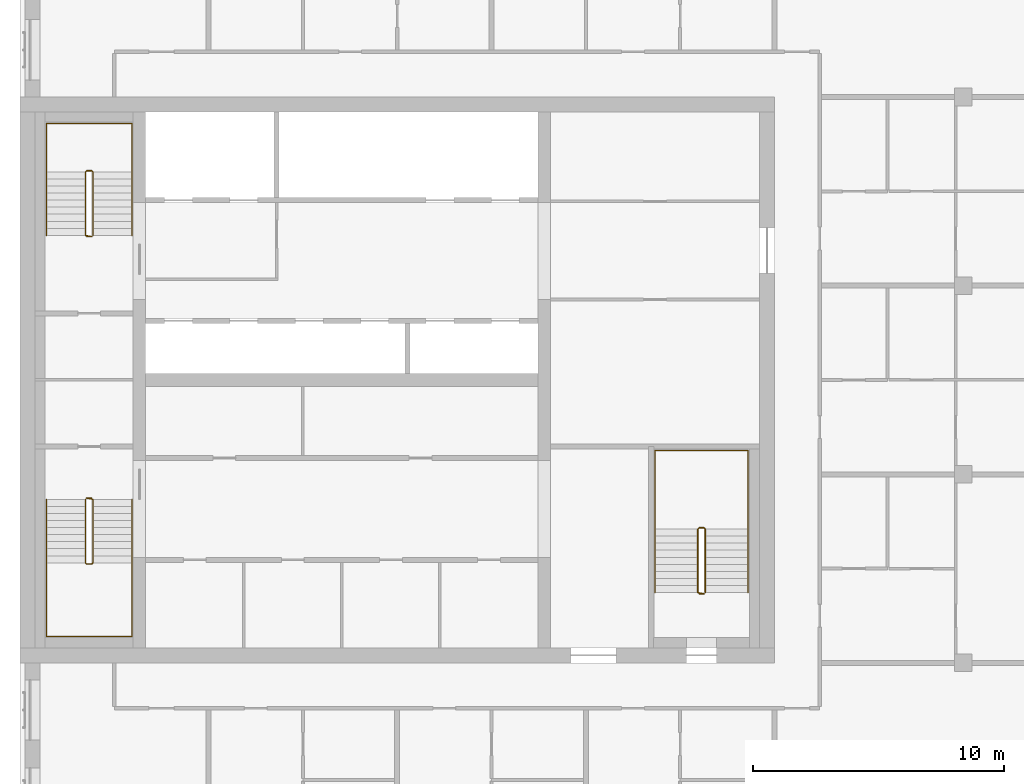
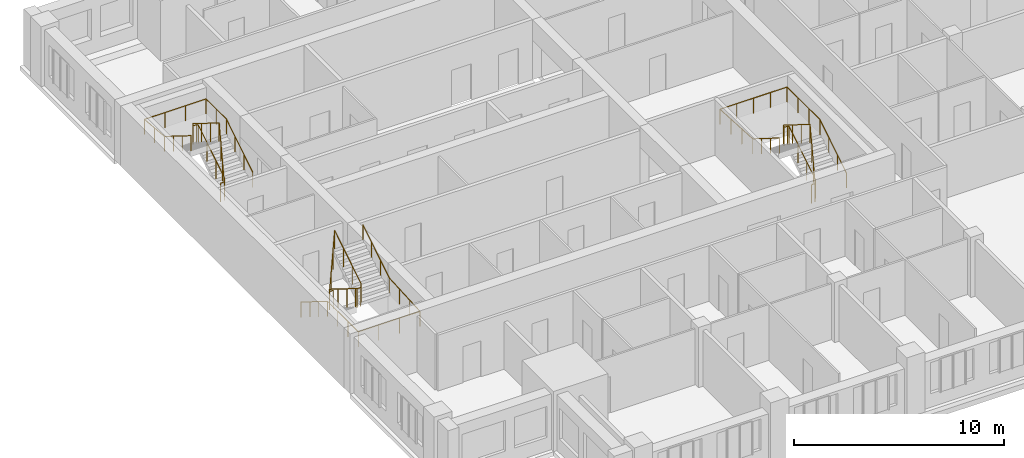
# One storey, part 10 of 10: 6 railings.
"""IFC4 building model written with IfcOpenShell, lengths in metres."""

import ifcopenshell
import ifcopenshell.guid

model = None  # the IFC model being written
_history = None  # IfcOwnerHistory: only IFC2X3 demands one
_inside = {}  # id of a spatial element -> (the spatial element, [elements in it])
_under = {}  # id of a project, library or spatial element -> (it, [spatial elements below it])
_declared = {}  # id of a project -> (the project, [libraries it declares])
_typed = {}  # id of a type object -> (the type object, [elements of that type])
_made_of = {}  # id of a material, layer set ... -> (it, [elements and type objects made of it])


def new_model(schema):
    """Start an empty IFC model of exactly this schema.

    Asked for "IFC4X3", IfcOpenShell would pick the latest addendum, in which some entities
    have other attributes; the version numbers below select the first issue.
    IFC2X3 requires an IfcOwnerHistory on every rooted entity: one is made here for all.
    """
    global model, _history
    if schema == "IFC4X3":
        model = ifcopenshell.file(schema_version=(4, 3, 0, 0))
    else:
        model = ifcopenshell.file(schema=schema)
    _inside.clear()
    _under.clear()
    _declared.clear()
    _typed.clear()
    _made_of.clear()
    _history = None
    if model.schema == "IFC2X3":
        org = make("IfcOrganization", Name="unknown")
        user = make(
            "IfcPersonAndOrganization",
            ThePerson=make("IfcPerson", FamilyName="unknown"),
            TheOrganization=org,
        )
        app = make(
            "IfcApplication",
            ApplicationDeveloper=org,
            Version="unknown",
            ApplicationFullName="unknown",
            ApplicationIdentifier="unknown",
        )
        _history = make(
            "IfcOwnerHistory",
            OwningUser=user,
            OwningApplication=app,
            ChangeAction="ADDED",
            CreationDate=0,
        )
    return model


def make(cls, **values):
    """One entity of the class cls with the attributes given. An attribute that is None is left unset."""
    return model.create_entity(
        cls, **{name: value for name, value in values.items() if value is not None}
    )


def rooted(cls, **values):
    """An entity with a GlobalId (a new one), such as an element, a storey or a relation."""
    return make(cls, GlobalId=ifcopenshell.guid.new(), OwnerHistory=_history, **values)


def si_unit(unit_type, name, prefix=None):
    """IfcSIUnit, for example si_unit("LENGTHUNIT", "METRE", prefix="MILLI")."""
    return make("IfcSIUnit", UnitType=unit_type, Prefix=prefix, Name=name)


def assignment(units):
    """IfcUnitAssignment: the units of a project."""
    return None if units is None else make("IfcUnitAssignment", Units=units)


def point(xyz):
    """IfcCartesianPoint."""
    return None if xyz is None else make("IfcCartesianPoint", Coordinates=xyz)


def direction(xyz):
    """IfcDirection."""
    return None if xyz is None else make("IfcDirection", DirectionRatios=xyz)


def frame(location, z_axis=None, x_axis=None):
    """IfcAxis2Placement3D, a coordinate frame: its origin and axes. An axis left out is left unset."""
    return make(
        "IfcAxis2Placement3D",
        Location=point(location),
        Axis=direction(z_axis),
        RefDirection=direction(x_axis),
    )


def frame_2d(location, x_axis=None):
    """IfcAxis2Placement2D, a coordinate frame in the plane: its origin and x axis."""
    return make(
        "IfcAxis2Placement2D", Location=point(location), RefDirection=direction(x_axis)
    )


def origin():
    """The frame at (0, 0, 0) with its axes left unset."""
    return frame((0.0, 0.0, 0.0))


def origin_2d():
    """The frame at (0, 0) in the plane with its x axis left unset."""
    return frame_2d((0.0, 0.0))


def place(relative_to, where):
    """IfcLocalPlacement: puts the frame where relative to a parent placement (None: the world)."""
    return make(
        "IfcLocalPlacement", PlacementRelTo=relative_to, RelativePlacement=where
    )


def context(
    kind, dimensions, precision=None, world=None, true_north=None, identifier=None
):
    """IfcGeometricRepresentationContext, for example the 3D "Model" context."""
    return make(
        "IfcGeometricRepresentationContext",
        ContextIdentifier=identifier,
        ContextType=kind,
        CoordinateSpaceDimension=dimensions,
        Precision=precision,
        WorldCoordinateSystem=world,
        TrueNorth=true_north,
    )


def subcontext(parent, identifier, kind, view, scale=None):
    """IfcGeometricRepresentationSubContext, for example "Body" below "Model"."""
    return make(
        "IfcGeometricRepresentationSubContext",
        ContextIdentifier=identifier,
        ContextType=kind,
        ParentContext=parent,
        TargetScale=scale,
        TargetView=view,
    )


def project(units=None, contexts=None):
    """IfcProject with its units and contexts."""
    return rooted(
        "IfcProject",
        Name="project",
        RepresentationContexts=contexts,
        UnitsInContext=assignment(units),
    )


def spatial(cls, under=None, at=None, **own):
    """A site, building, storey or space (cls), placed at a placement, below another one or the project."""
    s = rooted(cls, ObjectPlacement=at, **own)
    if under is not None:
        _under.setdefault(under.id(), (under, []))[1].append(s)
    return s


def profile(cls, at=None, kind="AREA", **sizes):
    """A parametric profile (cls). Its sizes go by their IFC names, for example OverallWidth=200.0."""
    return make(cls, ProfileType=kind, Position=at, **sizes)


def circle(**sizes):
    """IfcCircleProfileDef."""
    return profile("IfcCircleProfileDef", **sizes)


def extrude(swept, where, along, depth):
    """IfcExtrudedAreaSolid: the profile swept, set in the frame where, extruded along a direction by depth."""
    return make(
        "IfcExtrudedAreaSolid",
        SweptArea=swept,
        Position=where,
        ExtrudedDirection=direction(along),
        Depth=depth,
    )


def shape(context_of_items, identifier, shape_type, items):
    """IfcShapeRepresentation: the items that make up one representation, for example the "Body"."""
    return make(
        "IfcShapeRepresentation",
        ContextOfItems=context_of_items,
        RepresentationIdentifier=identifier,
        RepresentationType=shape_type,
        Items=items,
    )


def material(Name=None, Category=None):
    """IfcMaterial."""
    return make("IfcMaterial", Name=Name, Category=Category)


def made_of(thing, what):
    """Note that an element or type object is made of a material, layer set ...; save() writes the relation."""
    if what is not None:
        _made_of.setdefault(what.id(), (what, []))[1].append(thing)
    return thing


def type_object(cls, material=None, **own):
    """A type object (cls), such as IfcWallType, which elements share."""
    return made_of(rooted(cls, **own), material)


def element(
    cls,
    number,
    at=None,
    inside=None,
    cuts=None,
    type_object=None,
    material=None,
    context=None,
    identifier="Body",
    shape_type=None,
    held_by="IfcProductDefinitionShape",
    body=None,
    shapes=None,
    **own,
):
    """One element of the class cls, such as IfcWall. Its Tag is "e" and its number.

    at: its placement. inside: the storey or other place that contains it. cuts: it is an
    opening in that element (IfcRelVoidsElement). A single representation is given by context,
    identifier, shape_type and body (its items); several are given by shapes. held_by: the class
    of the entity that holds the representations. save() writes the other relations.
    """
    e = rooted(cls, Tag="e%d" % number, ObjectPlacement=at, **own)
    if body is not None:
        shapes = [shape(context, identifier, shape_type, body)]
    if shapes is not None:
        e.Representation = make(held_by, Representations=shapes)
    if inside is not None:
        _inside.setdefault(inside.id(), (inside, []))[1].append(e)
    if cuts is not None:
        rooted(
            "IfcRelVoidsElement", RelatingBuildingElement=cuts, RelatedOpeningElement=e
        )
    if type_object is not None:
        _typed.setdefault(type_object.id(), (type_object, []))[1].append(e)
    return made_of(e, material)


def aggregate(whole, parts):
    """IfcRelAggregates: a whole, such as a stair, and the parts it consists of."""
    return rooted("IfcRelAggregates", RelatingObject=whole, RelatedObjects=parts)


def save(model, path):
    """Write the relations noted so far, then the file.

    IfcRelAggregates (storeys below a building ...), IfcRelContainedInSpatialStructure (elements
    in a storey), IfcRelDefinesByType, IfcRelAssociatesMaterial and IfcRelDeclares: one each for
    every whole, place, type object, material and project.
    """
    for whole, parts in _under.values():
        aggregate(whole, parts)
    for where, things in _inside.values():
        rooted(
            "IfcRelContainedInSpatialStructure",
            RelatedElements=things,
            RelatingStructure=where,
        )
    for kind, things in _typed.values():
        rooted("IfcRelDefinesByType", RelatedObjects=things, RelatingType=kind)
    for what, things in _made_of.values():
        rooted("IfcRelAssociatesMaterial", RelatedObjects=things, RelatingMaterial=what)
    for by, libraries in _declared.values():
        rooted("IfcRelDeclares", RelatingContext=by, RelatedDefinitions=libraries)
    model.write(path)


model = new_model("IFC4")

# Units and contexts
model_context = context("Model", 3, precision=1e-05, world=origin(), true_north=direction((0.0, 1.0)))
body_context = subcontext(model_context, "Body", "Model", "MODEL_VIEW")
ifc_project = project(units=[si_unit("LENGTHUNIT", "METRE"), si_unit("AREAUNIT", "SQUARE_METRE"), si_unit("VOLUMEUNIT", "CUBIC_METRE"), si_unit("PLANEANGLEUNIT", "RADIAN"), si_unit("MASSUNIT", "GRAM", prefix="KILO")], contexts=[model_context])

# Site, building, storey
site_placement = place(None, origin())
site = spatial("IfcSite", under=ifc_project, at=site_placement, CompositionType="ELEMENT")
building_placement = place(site_placement, origin())
building = spatial("IfcBuilding", under=site, at=building_placement, Name="Tamorin Gate", CompositionType="ELEMENT")
storey_placement = place(building_placement, frame((0.0, 0.0, 276.699951171875)))
storey = spatial("IfcBuildingStorey", under=building, at=storey_placement, Name="L69", CompositionType="ELEMENT", Elevation=276.699951171875)

# Railings
ifc_material_1 = material(Name="Painted steel balustrade", Category="steel")
railing_type_1 = type_object("IfcRailingType", Name="Stair guard 1100", PredefinedType="GUARDRAIL", material=ifc_material_1)
railing_1_placement = place(storey_placement, frame((32.60009765625, 66.5, 0.175048828125)))
element("IfcRailing", 1, at=railing_1_placement, inside=storey, type_object=railing_type_1, Name="L69 ST1 stair guard 1", PredefinedType="GUARDRAIL", context=body_context, shape_type="SweptSolid", body=[
    extrude(circle(Radius=0.02392578125, at=origin_2d()), frame((0.0, 0.0, 1.076171875), z_axis=(0.0, -0.848007534815, 0.529984170421), x_axis=(1.0, 0.0, 0.0)), (0.0, 0.0, 1.0), 2.9716796875),
    extrude(circle(Radius=0.02392578125, at=origin_2d()), frame((0.0, -2.52001953125, 2.65087890625), z_axis=(0.705375805398, -0.708833529934, 0.0), x_axis=(0.708833529934, 0.705375805398, 0.0)), (0.0, 0.0, 1.0), 0.070556640625),
    extrude(circle(Radius=0.02392578125, at=origin_2d()), frame((0.0498046875, -2.570068359375, 2.65087890625), z_axis=(1.0, 0.0, 0.0), x_axis=(0.0, 1.0, 0.0)), (0.0, 0.0, 1.0), 0.2001953125),
    extrude(circle(Radius=0.02392578125, at=origin_2d()), frame((0.25, -2.570068359375, 2.65087890625), z_axis=(0.263862480399, 0.265155923931, 0.927399011991), x_axis=(-0.708833529934, 0.705375805398, 0.0)), (0.0, 0.0, 1.0), 0.188720703125),
    extrude(circle(Radius=0.02392578125, at=origin_2d()), frame((0.2998046875, -2.52001953125, 2.826171875), z_axis=(0.0, 0.848007534815, 0.529984170421), x_axis=(-1.0, 0.0, 0.0)), (0.0, 0.0, 1.0), 2.9716796875),
    extrude(circle(Radius=0.02392578125, at=origin_2d()), frame((0.2998046875, 0.0, 4.40087890625), z_axis=(-0.071239803756, 0.014261874775, -0.997357252587), x_axis=(-0.196300278283, -0.98054382908, 0.0)), (0.0, 0.0, 1.0), 3.50927734375),
    extrude(circle(Radius=0.02392578125, at=origin_2d()), frame((0.0498046875, 0.050048828125, 0.90087890625), z_axis=(1.0, 0.0, 0.0), x_axis=(0.0, 1.0, 0.0)), (0.0, 0.0, 1.0), 0.2001953125),
    extrude(circle(Radius=0.02099609375, at=origin_2d()), origin(), (0.0, 0.0, 1.0), 1.052001953125),
    extrude(circle(Radius=0.02099609375, at=origin_2d()), frame((0.0, -0.840087890625, 0.52490234375)), (0.0, 0.0, 1.0), 1.052001953125),
    extrude(circle(Radius=0.02099609375, at=origin_2d()), frame((0.0, -1.679931640625, 1.050048828125)), (0.0, 0.0, 1.0), 1.052001953125),
    extrude(circle(Radius=0.02099609375, at=origin_2d()), frame((0.0, -2.52001953125, 1.574951171875)), (0.0, 0.0, 1.0), 1.052001953125),
    extrude(circle(Radius=0.02099609375, at=origin_2d()), frame((0.0498046875, -2.570068359375, 1.574951171875)), (0.0, 0.0, 1.0), 1.052001953125),
    extrude(circle(Radius=0.02099609375, at=origin_2d()), frame((0.25, -2.570068359375, 1.574951171875)), (0.0, 0.0, 1.0), 1.052001953125),
    extrude(circle(Radius=0.02099609375, at=origin_2d()), frame((0.2998046875, -2.52001953125, 1.75)), (0.0, 0.0, 1.0), 1.052001953125),
    extrude(circle(Radius=0.02099609375, at=origin_2d()), frame((0.2998046875, -1.679931640625, 2.27490234375)), (0.0, 0.0, 1.0), 1.052001953125),
    extrude(circle(Radius=0.02099609375, at=origin_2d()), frame((0.2998046875, -0.840087890625, 2.800048828125)), (0.0, 0.0, 1.0), 1.052001953125),
    extrude(circle(Radius=0.02099609375, at=origin_2d()), frame((0.2998046875, 0.0, 3.324951171875)), (0.0, 0.0, 1.0), 1.052001953125),
    extrude(circle(Radius=0.02099609375, at=origin_2d()), frame((0.216552734375, 0.0166015625, 2.158203125)), (0.0, 0.0, 1.0), 1.052001953125),
    extrude(circle(Radius=0.02099609375, at=origin_2d()), frame((0.133056640625, 0.033447265625, 0.99169921875)), (0.0, 0.0, 1.0), 1.052001953125),
    extrude(circle(Radius=0.02099609375, at=origin_2d()), frame((0.0498046875, 0.050048828125, -0.175048828125)), (0.0, 0.0, 1.0), 1.052001953125),
    extrude(circle(Radius=0.02099609375, at=origin_2d()), frame((0.25, 0.050048828125, -0.175048828125)), (0.0, 0.0, 1.0), 1.052001953125),
])
railing_2_placement = place(storey_placement, frame((32.89990234375, 77.0, 0.175048828125)))
element("IfcRailing", 2, at=railing_2_placement, inside=storey, type_object=railing_type_1, Name="L69 ST2 stair guard 1", PredefinedType="GUARDRAIL", context=body_context, shape_type="SweptSolid", body=[
    extrude(circle(Radius=0.02392578125, at=origin_2d()), frame((0.0, 0.0, 1.076171875), z_axis=(0.0, 0.848007534815, 0.529984170421), x_axis=(-1.0, 0.0, 0.0)), (0.0, 0.0, 1.0), 2.9716796875),
    extrude(circle(Radius=0.02392578125, at=origin_2d()), frame((0.0, 2.52001953125, 2.65087890625), z_axis=(-0.705375805398, 0.708833529934, 0.0), x_axis=(-0.708833529934, -0.705375805398, 0.0)), (0.0, 0.0, 1.0), 0.070556640625),
    extrude(circle(Radius=0.02392578125, at=origin_2d()), frame((-0.0498046875, 2.570068359375, 2.65087890625), z_axis=(-1.0, 0.0, 0.0), x_axis=(0.0, -1.0, 0.0)), (0.0, 0.0, 1.0), 0.2001953125),
    extrude(circle(Radius=0.02392578125, at=origin_2d()), frame((-0.25, 2.570068359375, 2.65087890625), z_axis=(-0.263862480399, -0.265155923931, 0.927399011991), x_axis=(0.708833529934, -0.705375805398, 0.0)), (0.0, 0.0, 1.0), 0.188720703125),
    extrude(circle(Radius=0.02392578125, at=origin_2d()), frame((-0.2998046875, 2.52001953125, 2.826171875), z_axis=(0.0, -0.848007534815, 0.529984170421), x_axis=(1.0, 0.0, 0.0)), (0.0, 0.0, 1.0), 2.9716796875),
    extrude(circle(Radius=0.02392578125, at=origin_2d()), frame((-0.2998046875, 0.0, 4.40087890625), z_axis=(0.071239803756, -0.014261874775, -0.997357252587), x_axis=(0.196300278283, 0.98054382908, 0.0)), (0.0, 0.0, 1.0), 3.50927734375),
    extrude(circle(Radius=0.02392578125, at=origin_2d()), frame((-0.0498046875, -0.050048828125, 0.90087890625), z_axis=(-1.0, 0.0, 0.0), x_axis=(0.0, -1.0, 0.0)), (0.0, 0.0, 1.0), 0.2001953125),
    extrude(circle(Radius=0.02099609375, at=origin_2d()), origin(), (0.0, 0.0, 1.0), 1.052001953125),
    extrude(circle(Radius=0.02099609375, at=origin_2d()), frame((0.0, 0.840087890625, 0.52490234375)), (0.0, 0.0, 1.0), 1.052001953125),
    extrude(circle(Radius=0.02099609375, at=origin_2d()), frame((0.0, 1.679931640625, 1.050048828125)), (0.0, 0.0, 1.0), 1.052001953125),
    extrude(circle(Radius=0.02099609375, at=origin_2d()), frame((0.0, 2.52001953125, 1.574951171875)), (0.0, 0.0, 1.0), 1.052001953125),
    extrude(circle(Radius=0.02099609375, at=origin_2d()), frame((-0.0498046875, 2.570068359375, 1.574951171875)), (0.0, 0.0, 1.0), 1.052001953125),
    extrude(circle(Radius=0.02099609375, at=origin_2d()), frame((-0.25, 2.570068359375, 1.574951171875)), (0.0, 0.0, 1.0), 1.052001953125),
    extrude(circle(Radius=0.02099609375, at=origin_2d()), frame((-0.2998046875, 2.52001953125, 1.75)), (0.0, 0.0, 1.0), 1.052001953125),
    extrude(circle(Radius=0.02099609375, at=origin_2d()), frame((-0.2998046875, 1.679931640625, 2.27490234375)), (0.0, 0.0, 1.0), 1.052001953125),
    extrude(circle(Radius=0.02099609375, at=origin_2d()), frame((-0.2998046875, 0.840087890625, 2.800048828125)), (0.0, 0.0, 1.0), 1.052001953125),
    extrude(circle(Radius=0.02099609375, at=origin_2d()), frame((-0.2998046875, 0.0, 3.324951171875)), (0.0, 0.0, 1.0), 1.052001953125),
    extrude(circle(Radius=0.02099609375, at=origin_2d()), frame((-0.216552734375, -0.0166015625, 2.158203125)), (0.0, 0.0, 1.0), 1.052001953125),
    extrude(circle(Radius=0.02099609375, at=origin_2d()), frame((-0.133056640625, -0.033447265625, 0.99169921875)), (0.0, 0.0, 1.0), 1.052001953125),
    extrude(circle(Radius=0.02099609375, at=origin_2d()), frame((-0.0498046875, -0.050048828125, -0.175048828125)), (0.0, 0.0, 1.0), 1.052001953125),
    extrude(circle(Radius=0.02099609375, at=origin_2d()), frame((-0.25, -0.050048828125, -0.175048828125)), (0.0, 0.0, 1.0), 1.052001953125),
])
railing_3_placement = place(storey_placement, frame((57.25, 62.800048828125, 0.175048828125)))
element("IfcRailing", 3, at=railing_3_placement, inside=storey, type_object=railing_type_1, Name="L69 ST3 stair guard 1", PredefinedType="GUARDRAIL", context=body_context, shape_type="SweptSolid", body=[
    extrude(circle(Radius=0.02392578125, at=origin_2d()), frame((0.0, 0.0, 1.076171875), z_axis=(0.0, 0.848007534815, 0.529984170421), x_axis=(-1.0, 0.0, 0.0)), (0.0, 0.0, 1.0), 2.9716796875),
    extrude(circle(Radius=0.02392578125, at=origin_2d()), frame((0.0, 2.52001953125, 2.65087890625), z_axis=(-0.707106781187, 0.707106781187, 0.0), x_axis=(-0.707106781187, -0.707106781187, 0.0)), (0.0, 0.0, 1.0), 0.07080078125),
    extrude(circle(Radius=0.02392578125, at=origin_2d()), frame((-0.050048828125, 2.570068359375, 2.65087890625), z_axis=(-1.0, 0.0, 0.0), x_axis=(0.0, -1.0, 0.0)), (0.0, 0.0, 1.0), 0.199951171875),
    extrude(circle(Radius=0.02392578125, at=origin_2d()), frame((-0.25, 2.570068359375, 2.65087890625), z_axis=(-0.265065253269, -0.265065253269, 0.927081885822), x_axis=(0.707106781187, -0.707106781187, 0.0)), (0.0, 0.0, 1.0), 0.188720703125),
    extrude(circle(Radius=0.02392578125, at=origin_2d()), frame((-0.300048828125, 2.52001953125, 2.826171875), z_axis=(0.0, -0.848007534815, 0.529984170421), x_axis=(1.0, 0.0, 0.0)), (0.0, 0.0, 1.0), 2.9716796875),
    extrude(circle(Radius=0.02392578125, at=origin_2d()), frame((-0.300048828125, 0.0, 4.40087890625), z_axis=(0.071239803756, -0.014261874775, -0.997357252587), x_axis=(0.196300278283, 0.98054382908, 0.0)), (0.0, 0.0, 1.0), 3.50927734375),
    extrude(circle(Radius=0.02392578125, at=origin_2d()), frame((-0.050048828125, -0.050048828125, 0.90087890625), z_axis=(-1.0, 0.0, 0.0), x_axis=(0.0, -1.0, 0.0)), (0.0, 0.0, 1.0), 0.199951171875),
    extrude(circle(Radius=0.02099609375, at=origin_2d()), origin(), (0.0, 0.0, 1.0), 1.052001953125),
    extrude(circle(Radius=0.02099609375, at=origin_2d()), frame((0.0, 0.840087890625, 0.52490234375)), (0.0, 0.0, 1.0), 1.052001953125),
    extrude(circle(Radius=0.02099609375, at=origin_2d()), frame((0.0, 1.679931640625, 1.050048828125)), (0.0, 0.0, 1.0), 1.052001953125),
    extrude(circle(Radius=0.02099609375, at=origin_2d()), frame((0.0, 2.52001953125, 1.574951171875)), (0.0, 0.0, 1.0), 1.052001953125),
    extrude(circle(Radius=0.02099609375, at=origin_2d()), frame((-0.050048828125, 2.570068359375, 1.574951171875)), (0.0, 0.0, 1.0), 1.052001953125),
    extrude(circle(Radius=0.02099609375, at=origin_2d()), frame((-0.25, 2.570068359375, 1.574951171875)), (0.0, 0.0, 1.0), 1.052001953125),
    extrude(circle(Radius=0.02099609375, at=origin_2d()), frame((-0.300048828125, 2.52001953125, 1.75)), (0.0, 0.0, 1.0), 1.052001953125),
    extrude(circle(Radius=0.02099609375, at=origin_2d()), frame((-0.300048828125, 1.679931640625, 2.27490234375)), (0.0, 0.0, 1.0), 1.052001953125),
    extrude(circle(Radius=0.02099609375, at=origin_2d()), frame((-0.300048828125, 0.840087890625, 2.800048828125)), (0.0, 0.0, 1.0), 1.052001953125),
    extrude(circle(Radius=0.02099609375, at=origin_2d()), frame((-0.300048828125, 0.0, 3.324951171875)), (0.0, 0.0, 1.0), 1.052001953125),
    extrude(circle(Radius=0.02099609375, at=origin_2d()), frame((-0.216796875, -0.0166015625, 2.158203125)), (0.0, 0.0, 1.0), 1.052001953125),
    extrude(circle(Radius=0.02099609375, at=origin_2d()), frame((-0.13330078125, -0.033447265625, 0.99169921875)), (0.0, 0.0, 1.0), 1.052001953125),
    extrude(circle(Radius=0.02099609375, at=origin_2d()), frame((-0.050048828125, -0.050048828125, -0.175048828125)), (0.0, 0.0, 1.0), 1.052001953125),
    extrude(circle(Radius=0.02099609375, at=origin_2d()), frame((-0.25, -0.050048828125, -0.175048828125)), (0.0, 0.0, 1.0), 1.052001953125),
])
ifc_material_2 = material(Name="Painted steel handrail", Category="steel")
railing_type_2 = type_object("IfcRailingType", Name="Stair handrail 900", PredefinedType="HANDRAIL", material=ifc_material_2)
railing_4_placement = place(storey_placement, frame((31.050048828125, 66.5, 0.175048828125)))
element("IfcRailing", 4, at=railing_4_placement, inside=storey, type_object=railing_type_2, Name="L69 ST1 stair handrail 1", PredefinedType="HANDRAIL", context=body_context, shape_type="SweptSolid", body=[
    extrude(circle(Radius=0.02392578125, at=origin_2d()), frame((0.0, 0.0, 0.8759765625), z_axis=(0.0, -0.848007534815, 0.529984170421), x_axis=(1.0, 0.0, 0.0)), (0.0, 0.0, 1.0), 2.9716796875),
    extrude(circle(Radius=0.02392578125, at=origin_2d()), frame((0.0, -2.52001953125, 2.45068359375), z_axis=(0.0, -1.0, 0.0), x_axis=(1.0, 0.0, 0.0)), (0.0, 0.0, 1.0), 2.929931640625),
    extrude(circle(Radius=0.02392578125, at=origin_2d()), frame((0.0, -5.449951171875, 2.45068359375), z_axis=(1.0, 0.0, 0.0), x_axis=(0.0, 1.0, 0.0)), (0.0, 0.0, 1.0), 3.39990234375),
    extrude(circle(Radius=0.02392578125, at=origin_2d()), frame((3.39990234375, -5.449951171875, 2.45068359375), z_axis=(0.0, 0.998220029962, 0.0596386769), x_axis=(-1.0, 0.0, 0.0)), (0.0, 0.0, 1.0), 2.93505859375),
    extrude(circle(Radius=0.02392578125, at=origin_2d()), frame((3.39990234375, -2.52001953125, 2.6259765625), z_axis=(0.0, 0.848007534815, 0.529984170421), x_axis=(-1.0, 0.0, 0.0)), (0.0, 0.0, 1.0), 2.9716796875),
    extrude(circle(Radius=0.02099609375, at=origin_2d()), origin(), (0.0, 0.0, 1.0), 0.851806640625),
    extrude(circle(Radius=0.02099609375, at=origin_2d()), frame((0.0, -0.840087890625, 0.52490234375)), (0.0, 0.0, 1.0), 0.851806640625),
    extrude(circle(Radius=0.02099609375, at=origin_2d()), frame((0.0, -1.679931640625, 1.050048828125)), (0.0, 0.0, 1.0), 0.851806640625),
    extrude(circle(Radius=0.02099609375, at=origin_2d()), frame((0.0, -2.52001953125, 1.574951171875)), (0.0, 0.0, 1.0), 0.851806640625),
    extrude(circle(Radius=0.02099609375, at=origin_2d()), frame((0.0, -3.49658203125, 1.574951171875)), (0.0, 0.0, 1.0), 0.851806640625),
    extrude(circle(Radius=0.02099609375, at=origin_2d()), frame((0.0, -4.473388671875, 1.574951171875)), (0.0, 0.0, 1.0), 0.851806640625),
    extrude(circle(Radius=0.02099609375, at=origin_2d()), frame((0.0, -5.449951171875, 1.574951171875)), (0.0, 0.0, 1.0), 0.851806640625),
    extrude(circle(Radius=0.02099609375, at=origin_2d()), frame((1.13330078125, -5.449951171875, 1.574951171875)), (0.0, 0.0, 1.0), 0.851806640625),
    extrude(circle(Radius=0.02099609375, at=origin_2d()), frame((2.2666015625, -5.449951171875, 1.574951171875)), (0.0, 0.0, 1.0), 0.851806640625),
    extrude(circle(Radius=0.02099609375, at=origin_2d()), frame((3.39990234375, -5.449951171875, 1.574951171875)), (0.0, 0.0, 1.0), 0.851806640625),
    extrude(circle(Radius=0.02099609375, at=origin_2d()), frame((3.39990234375, -4.473388671875, 1.63330078125)), (0.0, 0.0, 1.0), 0.851806640625),
    extrude(circle(Radius=0.02099609375, at=origin_2d()), frame((3.39990234375, -3.49658203125, 1.691650390625)), (0.0, 0.0, 1.0), 0.851806640625),
    extrude(circle(Radius=0.02099609375, at=origin_2d()), frame((3.39990234375, -2.52001953125, 1.75)), (0.0, 0.0, 1.0), 0.851806640625),
    extrude(circle(Radius=0.02099609375, at=origin_2d()), frame((3.39990234375, -1.679931640625, 2.27490234375)), (0.0, 0.0, 1.0), 0.851806640625),
    extrude(circle(Radius=0.02099609375, at=origin_2d()), frame((3.39990234375, -0.840087890625, 2.800048828125)), (0.0, 0.0, 1.0), 0.851806640625),
    extrude(circle(Radius=0.02099609375, at=origin_2d()), frame((3.39990234375, 0.0, 3.324951171875)), (0.0, 0.0, 1.0), 0.851806640625),
])
railing_5_placement = place(storey_placement, frame((34.449951171875, 77.0, 0.175048828125)))
element("IfcRailing", 5, at=railing_5_placement, inside=storey, type_object=railing_type_2, Name="L69 ST2 stair handrail 1", PredefinedType="HANDRAIL", context=body_context, shape_type="SweptSolid", body=[
    extrude(circle(Radius=0.02392578125, at=origin_2d()), frame((0.0, 0.0, 0.8759765625), z_axis=(0.0, 0.848007534815, 0.529984170421), x_axis=(-1.0, 0.0, 0.0)), (0.0, 0.0, 1.0), 2.9716796875),
    extrude(circle(Radius=0.02392578125, at=origin_2d()), frame((0.0, 2.52001953125, 2.45068359375), z_axis=(0.0, 1.0, 0.0), x_axis=(-1.0, 0.0, 0.0)), (0.0, 0.0, 1.0), 1.929931640625),
    extrude(circle(Radius=0.02392578125, at=origin_2d()), frame((0.0, 4.449951171875, 2.45068359375), z_axis=(-1.0, 0.0, 0.0), x_axis=(0.0, -1.0, 0.0)), (0.0, 0.0, 1.0), 3.39990234375),
    extrude(circle(Radius=0.02392578125, at=origin_2d()), frame((-3.39990234375, 4.449951171875, 2.45068359375), z_axis=(0.0, -0.995911773435, 0.090331276604), x_axis=(1.0, 0.0, 0.0)), (0.0, 0.0, 1.0), 1.937744140625),
    extrude(circle(Radius=0.02392578125, at=origin_2d()), frame((-3.39990234375, 2.52001953125, 2.6259765625), z_axis=(0.0, -0.848007534815, 0.529984170421), x_axis=(1.0, 0.0, 0.0)), (0.0, 0.0, 1.0), 2.9716796875),
    extrude(circle(Radius=0.02099609375, at=origin_2d()), origin(), (0.0, 0.0, 1.0), 0.851806640625),
    extrude(circle(Radius=0.02099609375, at=origin_2d()), frame((0.0, 0.840087890625, 0.52490234375)), (0.0, 0.0, 1.0), 0.851806640625),
    extrude(circle(Radius=0.02099609375, at=origin_2d()), frame((0.0, 1.679931640625, 1.050048828125)), (0.0, 0.0, 1.0), 0.851806640625),
    extrude(circle(Radius=0.02099609375, at=origin_2d()), frame((0.0, 2.52001953125, 1.574951171875)), (0.0, 0.0, 1.0), 0.851806640625),
    extrude(circle(Radius=0.02099609375, at=origin_2d()), frame((0.0, 3.48486328125, 1.574951171875)), (0.0, 0.0, 1.0), 0.851806640625),
    extrude(circle(Radius=0.02099609375, at=origin_2d()), frame((0.0, 4.449951171875, 1.574951171875)), (0.0, 0.0, 1.0), 0.851806640625),
    extrude(circle(Radius=0.02099609375, at=origin_2d()), frame((-1.13330078125, 4.449951171875, 1.574951171875)), (0.0, 0.0, 1.0), 0.851806640625),
    extrude(circle(Radius=0.02099609375, at=origin_2d()), frame((-2.2666015625, 4.449951171875, 1.574951171875)), (0.0, 0.0, 1.0), 0.851806640625),
    extrude(circle(Radius=0.02099609375, at=origin_2d()), frame((-3.39990234375, 4.449951171875, 1.574951171875)), (0.0, 0.0, 1.0), 0.851806640625),
    extrude(circle(Radius=0.02099609375, at=origin_2d()), frame((-3.39990234375, 3.48486328125, 1.66259765625)), (0.0, 0.0, 1.0), 0.851806640625),
    extrude(circle(Radius=0.02099609375, at=origin_2d()), frame((-3.39990234375, 2.52001953125, 1.75)), (0.0, 0.0, 1.0), 0.851806640625),
    extrude(circle(Radius=0.02099609375, at=origin_2d()), frame((-3.39990234375, 1.679931640625, 2.27490234375)), (0.0, 0.0, 1.0), 0.851806640625),
    extrude(circle(Radius=0.02099609375, at=origin_2d()), frame((-3.39990234375, 0.840087890625, 2.800048828125)), (0.0, 0.0, 1.0), 0.851806640625),
    extrude(circle(Radius=0.02099609375, at=origin_2d()), frame((-3.39990234375, 0.0, 3.324951171875)), (0.0, 0.0, 1.0), 0.851806640625),
])
railing_6_placement = place(storey_placement, frame((58.949951171875, 62.800048828125, 0.175048828125)))
element("IfcRailing", 6, at=railing_6_placement, inside=storey, type_object=railing_type_2, Name="L69 ST3 stair handrail 1", PredefinedType="HANDRAIL", context=body_context, shape_type="SweptSolid", body=[
    extrude(circle(Radius=0.02392578125, at=origin_2d()), frame((0.0, 0.0, 0.8759765625), z_axis=(0.0, 0.848007534815, 0.529984170421), x_axis=(-1.0, 0.0, 0.0)), (0.0, 0.0, 1.0), 2.9716796875),
    extrude(circle(Radius=0.02392578125, at=origin_2d()), frame((0.0, 2.52001953125, 2.45068359375), z_axis=(0.0, 1.0, 0.0), x_axis=(-1.0, 0.0, 0.0)), (0.0, 0.0, 1.0), 3.1298828125),
    extrude(circle(Radius=0.02392578125, at=origin_2d()), frame((0.0, 5.64990234375, 2.45068359375), z_axis=(-1.0, 0.0, 0.0), x_axis=(0.0, -1.0, 0.0)), (0.0, 0.0, 1.0), 3.699951171875),
    extrude(circle(Radius=0.02392578125, at=origin_2d()), frame((-3.699951171875, 5.64990234375, 2.45068359375), z_axis=(0.0, -0.998439675676, 0.055840970941), x_axis=(1.0, 0.0, 0.0)), (0.0, 0.0, 1.0), 3.134765625),
    extrude(circle(Radius=0.02392578125, at=origin_2d()), frame((-3.699951171875, 2.52001953125, 2.6259765625), z_axis=(0.0, -0.848007534815, 0.529984170421), x_axis=(1.0, 0.0, 0.0)), (0.0, 0.0, 1.0), 2.9716796875),
    extrude(circle(Radius=0.02099609375, at=origin_2d()), origin(), (0.0, 0.0, 1.0), 0.851806640625),
    extrude(circle(Radius=0.02099609375, at=origin_2d()), frame((0.0, 0.840087890625, 0.52490234375)), (0.0, 0.0, 1.0), 0.851806640625),
    extrude(circle(Radius=0.02099609375, at=origin_2d()), frame((0.0, 1.679931640625, 1.050048828125)), (0.0, 0.0, 1.0), 0.851806640625),
    extrude(circle(Radius=0.02099609375, at=origin_2d()), frame((0.0, 2.52001953125, 1.574951171875)), (0.0, 0.0, 1.0), 0.851806640625),
    extrude(circle(Radius=0.02099609375, at=origin_2d()), frame((0.0, 3.563232421875, 1.574951171875)), (0.0, 0.0, 1.0), 0.851806640625),
    extrude(circle(Radius=0.02099609375, at=origin_2d()), frame((0.0, 4.606689453125, 1.574951171875)), (0.0, 0.0, 1.0), 0.851806640625),
    extrude(circle(Radius=0.02099609375, at=origin_2d()), frame((0.0, 5.64990234375, 1.574951171875)), (0.0, 0.0, 1.0), 0.851806640625),
    extrude(circle(Radius=0.02099609375, at=origin_2d()), frame((-0.925048828125, 5.64990234375, 1.574951171875)), (0.0, 0.0, 1.0), 0.851806640625),
    extrude(circle(Radius=0.02099609375, at=origin_2d()), frame((-1.85009765625, 5.64990234375, 1.574951171875)), (0.0, 0.0, 1.0), 0.851806640625),
    extrude(circle(Radius=0.02099609375, at=origin_2d()), frame((-2.77490234375, 5.64990234375, 1.574951171875)), (0.0, 0.0, 1.0), 0.851806640625),
    extrude(circle(Radius=0.02099609375, at=origin_2d()), frame((-3.699951171875, 5.64990234375, 1.574951171875)), (0.0, 0.0, 1.0), 0.851806640625),
    extrude(circle(Radius=0.02099609375, at=origin_2d()), frame((-3.699951171875, 4.606689453125, 1.63330078125)), (0.0, 0.0, 1.0), 0.851806640625),
    extrude(circle(Radius=0.02099609375, at=origin_2d()), frame((-3.699951171875, 3.563232421875, 1.691650390625)), (0.0, 0.0, 1.0), 0.851806640625),
    extrude(circle(Radius=0.02099609375, at=origin_2d()), frame((-3.699951171875, 2.52001953125, 1.75)), (0.0, 0.0, 1.0), 0.851806640625),
    extrude(circle(Radius=0.02099609375, at=origin_2d()), frame((-3.699951171875, 1.679931640625, 2.27490234375)), (0.0, 0.0, 1.0), 0.851806640625),
    extrude(circle(Radius=0.02099609375, at=origin_2d()), frame((-3.699951171875, 0.840087890625, 2.800048828125)), (0.0, 0.0, 1.0), 0.851806640625),
    extrude(circle(Radius=0.02099609375, at=origin_2d()), frame((-3.699951171875, 0.0, 3.324951171875)), (0.0, 0.0, 1.0), 0.851806640625),
])

save(model, "model.ifc")
